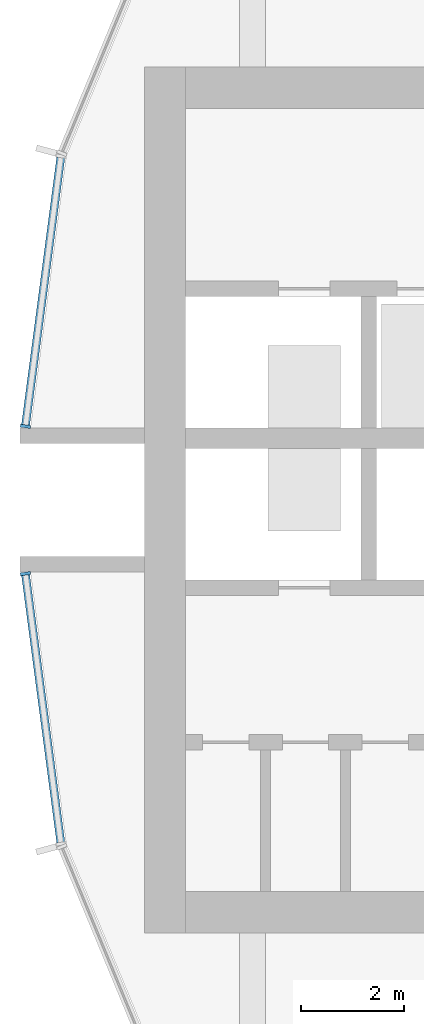
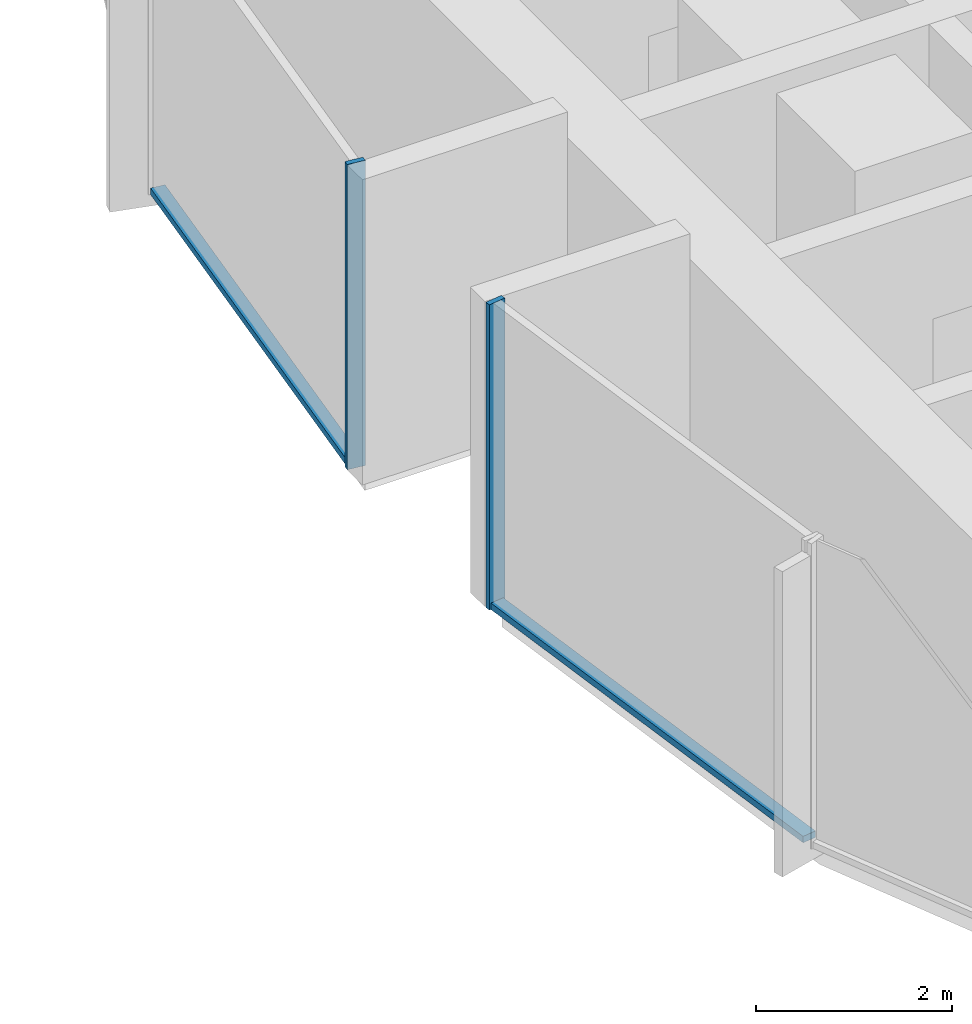
# One storey, part 3 of 15: 4 members, 2 elements without a shape of their own.
"""IFC4 building model written with IfcOpenShell, lengths in metres."""

from ifc_helpers import new_model, si_unit, direction, frame, origin, origin_2d, place, context, subcontext, project, spatial, rectangle, extrude, material, layer, layer_set, material_profile, profile_set, type_object, element, aggregate, save


model = new_model("IFC4")

# Units and contexts
model_context = context("Model", 3, precision=1e-05, world=origin(), true_north=direction((0.0, 1.0)))
body_context = subcontext(model_context, "Body", "Model", "MODEL_VIEW")
ifc_project = project(units=[si_unit("LENGTHUNIT", "METRE"), si_unit("AREAUNIT", "SQUARE_METRE"), si_unit("VOLUMEUNIT", "CUBIC_METRE"), si_unit("PLANEANGLEUNIT", "RADIAN"), si_unit("MASSUNIT", "GRAM", prefix="KILO")], contexts=[model_context])

# Site, building, storey
site_placement = place(None, origin())
site = spatial("IfcSite", under=ifc_project, at=site_placement, CompositionType="ELEMENT")
building_placement = place(site_placement, origin())
building = spatial("IfcBuilding", under=site, at=building_placement, Name="Torre Brocal", CompositionType="ELEMENT")
storey_placement = place(building_placement, frame((0.0, 0.0, 101.39990234375)))
storey = spatial("IfcBuildingStorey", under=building, at=storey_placement, Name="L23", CompositionType="ELEMENT", Elevation=101.39990234375)

# Curtain wall, member
ifc_material_1 = material(Name="Aluminium and glass", Category="aluminium")
ifc_layer = layer(ifc_material_1, 0.199951171875)
ifc_layer_set = layer_set([ifc_layer], Name="Aluminium and glass")
curtain_wall_type = type_object("IfcCurtainWallType", Name="CW-1B CURTAIN WALL 3800 HIGH", PredefinedType="NOTDEFINED", material=ifc_layer_set)
curtain_wall_1_placement = place(storey_placement, origin())
curtain_wall_1 = element("IfcCurtainWall", 1, at=curtain_wall_1_placement, inside=storey, type_object=curtain_wall_type, Name="CW-1B RUN 12", PredefinedType="NOTDEFINED")
ifc_material_2 = material(Name="Aluminium, dark anodised", Category="aluminium")
ifc_material_profile_1 = material_profile(ifc_material_2, rectangle(XDim=0.199951171875, YDim=0.06005859375, at=origin_2d()), Name="CW-1B MULLION 60X200")
ifc_profile_set_1 = profile_set([ifc_material_profile_1], Name="Aluminium, dark anodised")
member_type_1 = type_object("IfcMemberType", Name="CW-1B MULLION 60X200", PredefinedType="MULLION", material=ifc_profile_set_1)
member_1_placement = place(storey_placement, frame((54.2890625, 76.4296875, 0.0), z_axis=(0.0, 0.0, 1.0), x_axis=(0.991444861374, -0.13052619222, 0.0)))
member_1 = element("IfcMember", 2, at=member_1_placement, type_object=member_type_1, Name="CW1B-1 mullion 2", PredefinedType="MULLION", context=body_context, shape_type="SweptSolid", body=[
    extrude(rectangle(XDim=0.199951171875, YDim=0.06005859375, at=origin_2d()), origin(), (0.0, 0.0, 1.0), 3.800048828125),
])

curtain_wall_2_placement = place(storey_placement, origin())
curtain_wall_2 = element("IfcCurtainWall", 3, at=curtain_wall_2_placement, inside=storey, type_object=curtain_wall_type, Name="CW-1B RUN 13", PredefinedType="NOTDEFINED")
member_2_placement = place(storey_placement, frame((54.2890625, 73.5703125, 0.0), z_axis=(0.0, 0.0, 1.0), x_axis=(0.991444861374, 0.13052619222, 0.0)))
member_2 = element("IfcMember", 4, at=member_2_placement, type_object=member_type_1, Name="CW1B-1 mullion 1", PredefinedType="MULLION", context=body_context, shape_type="SweptSolid", body=[
    extrude(rectangle(XDim=0.199951171875, YDim=0.06005859375, at=origin_2d()), origin(), (0.0, 0.0, 1.0), 3.800048828125),
])

# Member
ifc_material_3 = material(Name="Aluminium, dark anodised", Category="aluminium")
ifc_material_profile_2 = material_profile(ifc_material_3, rectangle(XDim=0.159912109375, YDim=0.080078125, at=origin_2d()), Name="CW-1B TRANSOM 160X80")
ifc_profile_set_2 = profile_set([ifc_material_profile_2], Name="Aluminium, dark anodised")
member_type_2 = type_object("IfcMemberType", Name="CW-1B TRANSOM 160X80", PredefinedType="USERDEFINED", material=ifc_profile_set_2)
member_3_placement = place(storey_placement, frame((54.9755859375, 81.643798828125, 0.0400390625), z_axis=(-0.130542677827, -0.991442690863, 0.0), x_axis=(0.991442690863, -0.130542677827, 0.0)))
member_3 = element("IfcMember", 5, at=member_3_placement, type_object=member_type_2, Name="CW1B-1 transom 1.1", ObjectType="TRANSOM", PredefinedType="USERDEFINED", context=body_context, shape_type="SweptSolid", body=[
    extrude(rectangle(XDim=0.159912109375, YDim=0.080078125, at=origin_2d()), origin(), (0.0, 0.0, 1.0), 5.22900390625),
])

aggregate(curtain_wall_1, [member_1, member_3])

member_4_placement = place(storey_placement, frame((54.29296875, 73.54052734375, 0.0400390625), z_axis=(0.130542677827, -0.991442690863, 0.0), x_axis=(0.991442690863, 0.130542677827, 0.0)))
member_4 = element("IfcMember", 6, at=member_4_placement, type_object=member_type_2, Name="CW1B-1 transom 1.1", ObjectType="TRANSOM", PredefinedType="USERDEFINED", context=body_context, shape_type="SweptSolid", body=[
    extrude(rectangle(XDim=0.159912109375, YDim=0.080078125, at=origin_2d()), origin(), (0.0, 0.0, 1.0), 5.22900390625),
])

aggregate(curtain_wall_2, [member_2, member_4])

save(model, "model.ifc")
